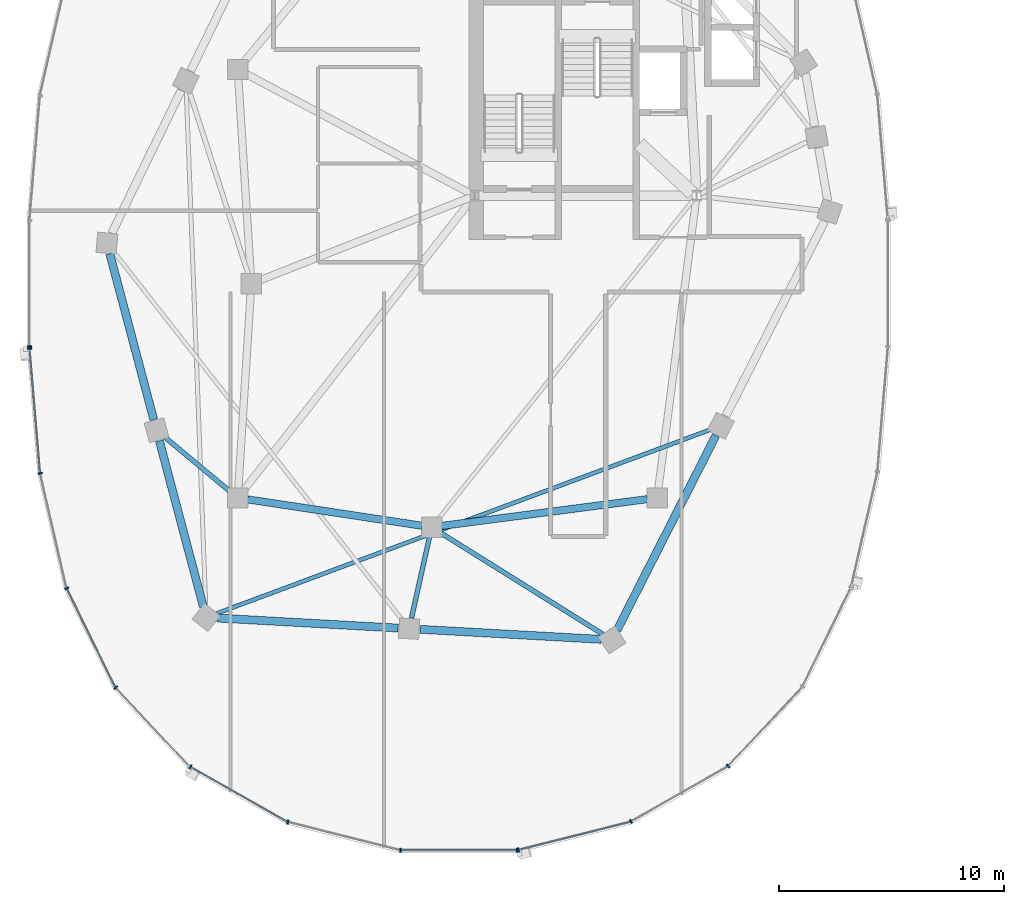
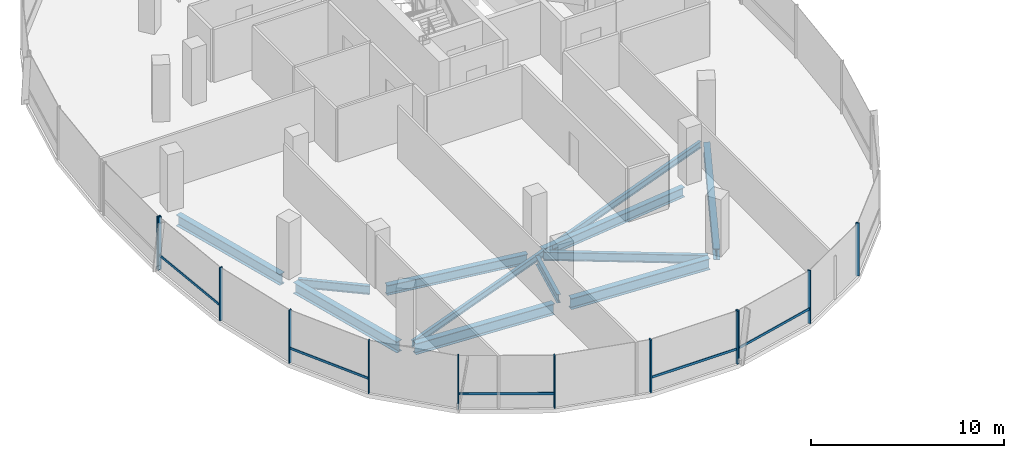
# One storey, part 3 of 25: 17 members, 11 beams, 3 elements without a shape of their own.
"""IFC4 building model written with IfcOpenShell, lengths in metres."""

import ifcopenshell
import ifcopenshell.guid

model = None  # the IFC model being written
_history = None  # IfcOwnerHistory: only IFC2X3 demands one
_inside = {}  # id of a spatial element -> (the spatial element, [elements in it])
_under = {}  # id of a project, library or spatial element -> (it, [spatial elements below it])
_declared = {}  # id of a project -> (the project, [libraries it declares])
_typed = {}  # id of a type object -> (the type object, [elements of that type])
_made_of = {}  # id of a material, layer set ... -> (it, [elements and type objects made of it])


def new_model(schema):
    """Start an empty IFC model of exactly this schema.

    Asked for "IFC4X3", IfcOpenShell would pick the latest addendum, in which some entities
    have other attributes; the version numbers below select the first issue.
    IFC2X3 requires an IfcOwnerHistory on every rooted entity: one is made here for all.
    """
    global model, _history
    if schema == "IFC4X3":
        model = ifcopenshell.file(schema_version=(4, 3, 0, 0))
    else:
        model = ifcopenshell.file(schema=schema)
    _inside.clear()
    _under.clear()
    _declared.clear()
    _typed.clear()
    _made_of.clear()
    _history = None
    if model.schema == "IFC2X3":
        org = make("IfcOrganization", Name="unknown")
        user = make(
            "IfcPersonAndOrganization",
            ThePerson=make("IfcPerson", FamilyName="unknown"),
            TheOrganization=org,
        )
        app = make(
            "IfcApplication",
            ApplicationDeveloper=org,
            Version="unknown",
            ApplicationFullName="unknown",
            ApplicationIdentifier="unknown",
        )
        _history = make(
            "IfcOwnerHistory",
            OwningUser=user,
            OwningApplication=app,
            ChangeAction="ADDED",
            CreationDate=0,
        )
    return model


def make(cls, **values):
    """One entity of the class cls with the attributes given. An attribute that is None is left unset."""
    return model.create_entity(
        cls, **{name: value for name, value in values.items() if value is not None}
    )


def rooted(cls, **values):
    """An entity with a GlobalId (a new one), such as an element, a storey or a relation."""
    return make(cls, GlobalId=ifcopenshell.guid.new(), OwnerHistory=_history, **values)


def si_unit(unit_type, name, prefix=None):
    """IfcSIUnit, for example si_unit("LENGTHUNIT", "METRE", prefix="MILLI")."""
    return make("IfcSIUnit", UnitType=unit_type, Prefix=prefix, Name=name)


def assignment(units):
    """IfcUnitAssignment: the units of a project."""
    return None if units is None else make("IfcUnitAssignment", Units=units)


def point(xyz):
    """IfcCartesianPoint."""
    return None if xyz is None else make("IfcCartesianPoint", Coordinates=xyz)


def direction(xyz):
    """IfcDirection."""
    return None if xyz is None else make("IfcDirection", DirectionRatios=xyz)


def frame(location, z_axis=None, x_axis=None):
    """IfcAxis2Placement3D, a coordinate frame: its origin and axes. An axis left out is left unset."""
    return make(
        "IfcAxis2Placement3D",
        Location=point(location),
        Axis=direction(z_axis),
        RefDirection=direction(x_axis),
    )


def frame_2d(location, x_axis=None):
    """IfcAxis2Placement2D, a coordinate frame in the plane: its origin and x axis."""
    return make(
        "IfcAxis2Placement2D", Location=point(location), RefDirection=direction(x_axis)
    )


def origin():
    """The frame at (0, 0, 0) with its axes left unset."""
    return frame((0.0, 0.0, 0.0))


def origin_2d():
    """The frame at (0, 0) in the plane with its x axis left unset."""
    return frame_2d((0.0, 0.0))


def place(relative_to, where):
    """IfcLocalPlacement: puts the frame where relative to a parent placement (None: the world)."""
    return make(
        "IfcLocalPlacement", PlacementRelTo=relative_to, RelativePlacement=where
    )


def context(
    kind, dimensions, precision=None, world=None, true_north=None, identifier=None
):
    """IfcGeometricRepresentationContext, for example the 3D "Model" context."""
    return make(
        "IfcGeometricRepresentationContext",
        ContextIdentifier=identifier,
        ContextType=kind,
        CoordinateSpaceDimension=dimensions,
        Precision=precision,
        WorldCoordinateSystem=world,
        TrueNorth=true_north,
    )


def subcontext(parent, identifier, kind, view, scale=None):
    """IfcGeometricRepresentationSubContext, for example "Body" below "Model"."""
    return make(
        "IfcGeometricRepresentationSubContext",
        ContextIdentifier=identifier,
        ContextType=kind,
        ParentContext=parent,
        TargetScale=scale,
        TargetView=view,
    )


def project(units=None, contexts=None):
    """IfcProject with its units and contexts."""
    return rooted(
        "IfcProject",
        Name="project",
        RepresentationContexts=contexts,
        UnitsInContext=assignment(units),
    )


def spatial(cls, under=None, at=None, **own):
    """A site, building, storey or space (cls), placed at a placement, below another one or the project."""
    s = rooted(cls, ObjectPlacement=at, **own)
    if under is not None:
        _under.setdefault(under.id(), (under, []))[1].append(s)
    return s


def profile(cls, at=None, kind="AREA", **sizes):
    """A parametric profile (cls). Its sizes go by their IFC names, for example OverallWidth=200.0."""
    return make(cls, ProfileType=kind, Position=at, **sizes)


def rectangle(**sizes):
    """IfcRectangleProfileDef."""
    return profile("IfcRectangleProfileDef", **sizes)


def i_section(**sizes):
    """IfcIShapeProfileDef."""
    return profile("IfcIShapeProfileDef", **sizes)


def extrude(swept, where, along, depth):
    """IfcExtrudedAreaSolid: the profile swept, set in the frame where, extruded along a direction by depth."""
    return make(
        "IfcExtrudedAreaSolid",
        SweptArea=swept,
        Position=where,
        ExtrudedDirection=direction(along),
        Depth=depth,
    )


def shape(context_of_items, identifier, shape_type, items):
    """IfcShapeRepresentation: the items that make up one representation, for example the "Body"."""
    return make(
        "IfcShapeRepresentation",
        ContextOfItems=context_of_items,
        RepresentationIdentifier=identifier,
        RepresentationType=shape_type,
        Items=items,
    )


def material(Name=None, Category=None):
    """IfcMaterial."""
    return make("IfcMaterial", Name=Name, Category=Category)


def material_profile(
    of_material, cross_section, Name=None, Category=None, Priority=None
):
    """IfcMaterialProfile: a cross section and its material."""
    return make(
        "IfcMaterialProfile",
        Name=Name,
        Material=of_material,
        Profile=cross_section,
        Priority=Priority,
        Category=Category,
    )


def profile_set(profiles, Name=None, composite=None):
    """IfcMaterialProfileSet."""
    return make(
        "IfcMaterialProfileSet",
        Name=Name,
        MaterialProfiles=profiles,
        CompositeProfile=composite,
    )


def made_of(thing, what):
    """Note that an element or type object is made of a material, layer set ...; save() writes the relation."""
    if what is not None:
        _made_of.setdefault(what.id(), (what, []))[1].append(thing)
    return thing


def type_object(cls, material=None, **own):
    """A type object (cls), such as IfcWallType, which elements share."""
    return made_of(rooted(cls, **own), material)


def element(
    cls,
    number,
    at=None,
    inside=None,
    cuts=None,
    type_object=None,
    material=None,
    context=None,
    identifier="Body",
    shape_type=None,
    held_by="IfcProductDefinitionShape",
    body=None,
    shapes=None,
    **own,
):
    """One element of the class cls, such as IfcWall. Its Tag is "e" and its number.

    at: its placement. inside: the storey or other place that contains it. cuts: it is an
    opening in that element (IfcRelVoidsElement). A single representation is given by context,
    identifier, shape_type and body (its items); several are given by shapes. held_by: the class
    of the entity that holds the representations. save() writes the other relations.
    """
    e = rooted(cls, Tag="e%d" % number, ObjectPlacement=at, **own)
    if body is not None:
        shapes = [shape(context, identifier, shape_type, body)]
    if shapes is not None:
        e.Representation = make(held_by, Representations=shapes)
    if inside is not None:
        _inside.setdefault(inside.id(), (inside, []))[1].append(e)
    if cuts is not None:
        rooted(
            "IfcRelVoidsElement", RelatingBuildingElement=cuts, RelatedOpeningElement=e
        )
    if type_object is not None:
        _typed.setdefault(type_object.id(), (type_object, []))[1].append(e)
    return made_of(e, material)


def aggregate(whole, parts):
    """IfcRelAggregates: a whole, such as a stair, and the parts it consists of."""
    return rooted("IfcRelAggregates", RelatingObject=whole, RelatedObjects=parts)


def save(model, path):
    """Write the relations noted so far, then the file.

    IfcRelAggregates (storeys below a building ...), IfcRelContainedInSpatialStructure (elements
    in a storey), IfcRelDefinesByType, IfcRelAssociatesMaterial and IfcRelDeclares: one each for
    every whole, place, type object, material and project.
    """
    for whole, parts in _under.values():
        aggregate(whole, parts)
    for where, things in _inside.values():
        rooted(
            "IfcRelContainedInSpatialStructure",
            RelatedElements=things,
            RelatingStructure=where,
        )
    for kind, things in _typed.values():
        rooted("IfcRelDefinesByType", RelatedObjects=things, RelatingType=kind)
    for what, things in _made_of.values():
        rooted("IfcRelAssociatesMaterial", RelatedObjects=things, RelatingMaterial=what)
    for by, libraries in _declared.values():
        rooted("IfcRelDeclares", RelatingContext=by, RelatedDefinitions=libraries)
    model.write(path)


model = new_model("IFC4")

# Units and contexts
model_context = context("Model", 3, precision=1e-05, world=origin(), true_north=direction((0.0, 1.0)))
body_context = subcontext(model_context, "Body", "Model", "MODEL_VIEW")
ifc_project = project(units=[si_unit("LENGTHUNIT", "METRE"), si_unit("AREAUNIT", "SQUARE_METRE"), si_unit("VOLUMEUNIT", "CUBIC_METRE"), si_unit("PLANEANGLEUNIT", "RADIAN"), si_unit("MASSUNIT", "GRAM", prefix="KILO"), si_unit("THERMODYNAMICTEMPERATUREUNIT", "KELVIN"), si_unit("POWERUNIT", "WATT")], contexts=[model_context])

# Site, building, storey
site_placement = place(None, origin())
site = spatial("IfcSite", under=ifc_project, at=site_placement, CompositionType="ELEMENT")
building_placement = place(site_placement, origin())
building = spatial("IfcBuilding", under=site, at=building_placement, Name="Cundina Bronze Exchange", CompositionType="ELEMENT")
storey_placement = place(building_placement, frame((0.0, 0.0, 191.800048828125)))
storey = spatial("IfcBuildingStorey", under=building, at=storey_placement, Name="L50", CompositionType="ELEMENT", Elevation=191.800048828125)

# Beams
ifc_material_1 = material(Name="Steel ASTM A992 Grade 50", Category="steel")
ifc_material_profile_1 = material_profile(ifc_material_1, i_section(OverallWidth=0.2119140625, OverallDepth=0.5439453125, WebThickness=0.01318359375, FlangeThickness=0.021240234375, FilletRadius=0.013916015625, at=origin_2d()), Name="W21X83", Category="steel")
ifc_profile_set_1 = profile_set([ifc_material_profile_1], Name="Steel ASTM A992 Grade 50")
beam_type_1 = type_object("IfcBeamType", Name="BM-FLR-W21A", PredefinedType="BEAM", material=ifc_profile_set_1)
beam_1_placement = place(storey_placement, frame((-42.136474609375, -9.219482421875, -0.531982421875), z_axis=(-0.768253211489, 0.640146079451, 0.0), x_axis=(-0.640146079451, -0.768253211489, 0.0)))
element("IfcBeam", 1, at=beam_1_placement, inside=storey, type_object=beam_type_1, Name="L50 Leg W Radial Floor Beam 09", PredefinedType="BEAM", context=body_context, shape_type="SweptSolid", body=[
    extrude(i_section(OverallWidth=0.2119140625, OverallDepth=0.5439453125, WebThickness=0.01318359375, FlangeThickness=0.021240234375, FilletRadius=0.013916015625, at=origin_2d()), origin(), (0.0, 0.0, 1.0), 3.760009765625),
])
beam_2_placement = place(storey_placement, frame((-33.294921875, -11.2275390625, -0.531982421875), z_axis=(-0.216923440287, -0.976188619609, 0.0), x_axis=(0.976188619609, -0.216923440287, 0.0)))
element("IfcBeam", 2, at=beam_2_placement, inside=storey, type_object=beam_type_1, Name="L50 Leg W Radial Floor Beam 11", PredefinedType="BEAM", context=body_context, shape_type="SweptSolid", body=[
    extrude(i_section(OverallWidth=0.2119140625, OverallDepth=0.5439453125, WebThickness=0.01318359375, FlangeThickness=0.021240234375, FilletRadius=0.013916015625, at=origin_2d()), origin(), (0.0, 0.0, 1.0), 3.68359375),
])
beam_3_placement = place(storey_placement, frame((-32.82861328125, -11.031982421875, -0.531982421875), z_axis=(0.847985407265, -0.530019574228, 0.0), x_axis=(0.530019574228, 0.847985407265, 0.0)))
element("IfcBeam", 3, at=beam_3_placement, inside=storey, type_object=beam_type_1, Name="L50 Leg W Radial Floor Beam 12", PredefinedType="BEAM", context=body_context, shape_type="SweptSolid", body=[
    extrude(i_section(OverallWidth=0.2119140625, OverallDepth=0.5439453125, WebThickness=0.01318359375, FlangeThickness=0.021240234375, FilletRadius=0.013916015625, at=origin_2d()), origin(), (0.0, 0.0, 1.0), 8.50830078125),
])
ifc_material_profile_2 = material_profile(ifc_material_1, i_section(OverallWidth=0.178955078125, OverallDepth=0.409912109375, WebThickness=0.0087890625, FlangeThickness=0.014404296875, FilletRadius=0.010986328125, at=origin_2d()), Name="W16X45", Category="steel")
ifc_profile_set_2 = profile_set([ifc_material_profile_2], Name="Steel ASTM A992 Grade 50")
beam_type_2 = type_object("IfcBeamType", Name="BM-JST-W16", PredefinedType="JOIST", material=ifc_profile_set_2)
beam_4_placement = place(storey_placement, frame((-42.74267578125, -14.629638671875, -0.465087890625), z_axis=(0.937127922351, 0.348986041483, 0.0), x_axis=(-0.348986041483, 0.937127922351, 0.0)))
element("IfcBeam", 4, at=beam_4_placement, inside=storey, type_object=beam_type_2, Name="L50 Leg W Lobe Floor Joist 10-13", PredefinedType="JOIST", context=body_context, shape_type="SweptSolid", body=[
    extrude(i_section(OverallWidth=0.178955078125, OverallDepth=0.409912109375, WebThickness=0.0087890625, FlangeThickness=0.014404296875, FilletRadius=0.010986328125, at=origin_2d()), origin(), (0.0, 0.0, 1.0), 23.38037109375),
])
ifc_material_profile_3 = material_profile(ifc_material_1, i_section(OverallWidth=0.324951171875, OverallDepth=0.615966796875, WebThickness=0.013916015625, FlangeThickness=0.021484375, FilletRadius=0.01611328125, at=origin_2d()), Name="W24X117", Category="steel")
ifc_profile_set_3 = profile_set([ifc_material_profile_3], Name="Steel ASTM A992 Grade 50")
beam_type_3 = type_object("IfcBeamType", Name="BM-RING-W24", PredefinedType="USERDEFINED", material=ifc_profile_set_3)
beam_5_placement = place(storey_placement, frame((-41.366943359375, -9.5654296875, -0.568115234375), z_axis=(0.988764903598, -0.149478979839, 0.0), x_axis=(0.149478979839, 0.988764903598, 0.0)))
element("IfcBeam", 5, at=beam_5_placement, inside=storey, type_object=beam_type_3, Name="L50 W Inner Structural Ring Girder 05", ObjectType="GIRDER", PredefinedType="USERDEFINED", context=body_context, shape_type="SweptSolid", body=[
    extrude(i_section(OverallWidth=0.324951171875, OverallDepth=0.615966796875, WebThickness=0.013916015625, FlangeThickness=0.021484375, FilletRadius=0.01611328125, at=origin_2d()), origin(), (0.0, 0.0, 1.0), 7.82177734375),
])
beam_6_placement = place(storey_placement, frame((-32.765625, -10.743408203125, -0.568115234375), z_axis=(0.991656498582, 0.128908451316, 0.0), x_axis=(-0.128908451316, 0.991656498582, 0.0)))
element("IfcBeam", 6, at=beam_6_placement, inside=storey, type_object=beam_type_3, Name="L50 W Inner Structural Ring Girder 06", ObjectType="GIRDER", PredefinedType="USERDEFINED", context=body_context, shape_type="SweptSolid", body=[
    extrude(i_section(OverallWidth=0.324951171875, OverallDepth=0.615966796875, WebThickness=0.013916015625, FlangeThickness=0.021484375, FilletRadius=0.01611328125, at=origin_2d()), origin(), (0.0, 0.0, 1.0), 9.208251953125),
])
ifc_material_profile_4 = material_profile(ifc_material_1, i_section(OverallWidth=0.35498046875, OverallDepth=0.695068359375, WebThickness=0.015380859375, FlangeThickness=0.02490234375, FilletRadius=0.01806640625, at=origin_2d()), Name="W27X146", Category="steel")
ifc_profile_set_4 = profile_set([ifc_material_profile_4], Name="Steel ASTM A992 Grade 50")
beam_type_4 = type_object("IfcBeamType", Name="BM-RING-W27", PredefinedType="USERDEFINED", material=ifc_profile_set_4)
for number, where, z_axis, x_axis, name in (
    (7, (-47.47509765625, 1.328369140625, -0.607666015625), (0.256240814108, -0.966612975904, 0.0), (0.966612975904, 0.256240814108, 0.0), "L50 W Perimeter Ring Girder 08"),
    (8, (-45.27490234375, -6.9716796875, -0.607666015625), (0.256210841755, -0.96662092082, 0.0), (0.96662092082, 0.256210841755, 0.0), "L50 W Perimeter Ring Girder 09"),
):
    element("IfcBeam", number, at=place(storey_placement, frame(where, z_axis=z_axis, x_axis=x_axis)), inside=storey, type_object=beam_type_4, Name=name, ObjectType="GIRDER", PredefinedType="USERDEFINED", context=body_context, shape_type="SweptSolid", body=[
        extrude(i_section(OverallWidth=0.35498046875, OverallDepth=0.695068359375, WebThickness=0.015380859375, FlangeThickness=0.02490234375, FilletRadius=0.01806640625, at=origin_2d()), origin(), (0.0, 0.0, 1.0), 7.61083984375),
    ])
for number, where, z_axis, x_axis, name in (
    (9, (-42.712890625, -14.8271484375, -0.607666015625), (0.998460820451, -0.055461608559, 0.0), (0.055461608559, 0.998460820451, 0.0), "L50 W Perimeter Ring Girder 10"),
    (10, (-33.712890625, -15.3271484375, -0.607666015625), (0.998460820451, -0.055461608559, 0.0), (0.055461608559, 0.998460820451, 0.0), "L50 W Perimeter Ring Girder 11"),
):
    element("IfcBeam", number, at=place(storey_placement, frame(where, z_axis=z_axis, x_axis=x_axis)), inside=storey, type_object=beam_type_4, Name=name, ObjectType="GIRDER", PredefinedType="USERDEFINED", context=body_context, shape_type="SweptSolid", body=[
        extrude(i_section(OverallWidth=0.35498046875, OverallDepth=0.695068359375, WebThickness=0.015380859375, FlangeThickness=0.02490234375, FilletRadius=0.01806640625, at=origin_2d()), origin(), (0.0, 0.0, 1.0), 8.0380859375),
    ])
beam_7_placement = place(storey_placement, frame((-24.97900390625, -15.364990234375, -0.607666015625), z_axis=(0.452834585354, 0.891594548159, 0.0), x_axis=(-0.891594548159, 0.452834585354, 0.0)))
element("IfcBeam", 11, at=beam_7_placement, inside=storey, type_object=beam_type_4, Name="L50 W Perimeter Ring Girder 12", ObjectType="GIRDER", PredefinedType="USERDEFINED", context=body_context, shape_type="SweptSolid", body=[
    extrude(i_section(OverallWidth=0.35498046875, OverallDepth=0.695068359375, WebThickness=0.015380859375, FlangeThickness=0.02490234375, FilletRadius=0.01806640625, at=origin_2d()), origin(), (0.0, 0.0, 1.0), 9.67919921875),
])

# Curtain wall, member
ifc_material_2 = material(Name="Anodised Bronze Aluminium 6063-T6", Category="aluminium")
curtain_wall_type = type_object("IfcCurtainWallType", Name="CWS-UPP-OFF", PredefinedType="NOTDEFINED", material=ifc_material_2)
curtain_wall_1_placement = place(storey_placement, origin())
curtain_wall_1 = element("IfcCurtainWall", 12, at=curtain_wall_1_placement, inside=storey, type_object=curtain_wall_type, Name="L50 CW-05 Curtain Wall Run CWR-L50-W2", PredefinedType="NOTDEFINED")
ifc_material_profile_5 = material_profile(ifc_material_2, rectangle(XDim=0.070068359375, YDim=0.18994140625, at=origin_2d()), Name="AL70X190", Category="aluminium")
ifc_profile_set_5 = profile_set([ifc_material_profile_5], Name="Anodised Bronze Aluminium 6063-T6")
member_type_1 = type_object("IfcMemberType", Name="CWM-MUL-190", PredefinedType="MULLION", material=ifc_profile_set_5)
member_1_placement = place(storey_placement, frame((-51.033935546875, -2.794921875, 0.0), z_axis=(0.0, 0.0, 1.0), x_axis=(0.0, -1.0, 0.0)))
member_1 = element("IfcMember", 13, at=member_1_placement, type_object=member_type_1, Name="CW-05 End Mullion", PredefinedType="MULLION", context=body_context, shape_type="SweptSolid", body=[
    extrude(rectangle(XDim=0.070068359375, YDim=0.18994140625, at=origin_2d()), origin(), (0.0, 0.0, 1.0), 3.33984375),
])
aggregate(curtain_wall_1, [member_1])

# Curtain wall, members
curtain_wall_2_placement = place(storey_placement, origin())
curtain_wall_2 = element("IfcCurtainWall", 14, at=curtain_wall_2_placement, inside=storey, type_object=curtain_wall_type, Name="L50 CW-05 Curtain Wall Run CWR-L50-W3", PredefinedType="NOTDEFINED")
member_2_placement = place(storey_placement, frame((-51.0302734375, -2.88330078125, 0.0), z_axis=(0.0, 0.0, 1.0), x_axis=(0.083677843332, -0.99649285925, 0.0)))
member_2 = element("IfcMember", 15, at=member_2_placement, type_object=member_type_1, Name="CW-05 Mullion 1", PredefinedType="MULLION", context=body_context, shape_type="SweptSolid", body=[
    extrude(rectangle(XDim=0.070068359375, YDim=0.18994140625, at=origin_2d()), origin(), (0.0, 0.0, 1.0), 3.33984375),
])
member_3_placement = place(storey_placement, frame((-50.56005859375, -8.4111328125, 0.0), z_axis=(0.0, 0.0, 1.0), x_axis=(0.223250116011, -0.974761194191, 0.0)))
member_3 = element("IfcMember", 16, at=member_3_placement, type_object=member_type_1, Name="CW-05 Mullion 2", PredefinedType="MULLION", context=body_context, shape_type="SweptSolid", body=[
    extrude(rectangle(XDim=0.070068359375, YDim=0.18994140625, at=origin_2d()), origin(), (0.0, 0.0, 1.0), 3.33984375),
])
member_4_placement = place(storey_placement, frame((-49.38427734375, -13.50732421875, 0.0), z_axis=(0.0, 0.0, 1.0), x_axis=(0.440566004113, -0.897720221461, 0.0)))
member_4 = element("IfcMember", 17, at=member_4_placement, type_object=member_type_1, Name="CW-05 Mullion 3", PredefinedType="MULLION", context=body_context, shape_type="SweptSolid", body=[
    extrude(rectangle(XDim=0.070068359375, YDim=0.18994140625, at=origin_2d()), origin(), (0.0, 0.0, 1.0), 3.33984375),
])
member_5_placement = place(storey_placement, frame((-47.209716796875, -17.91796875, 0.0), z_axis=(0.0, 0.0, 1.0), x_axis=(0.684292606175, -0.729207535023, 0.0)))
member_5 = element("IfcMember", 18, at=member_5_placement, type_object=member_type_1, Name="CW-05 Mullion 4", PredefinedType="MULLION", context=body_context, shape_type="SweptSolid", body=[
    extrude(rectangle(XDim=0.070068359375, YDim=0.18994140625, at=origin_2d()), origin(), (0.0, 0.0, 1.0), 3.33984375),
])
member_6_placement = place(storey_placement, frame((-43.899658203125, -21.43115234375, 0.0), z_axis=(0.0, 0.0, 1.0), x_axis=(0.86958112538, -0.493790103568, 0.0)))
member_6 = element("IfcMember", 19, at=member_6_placement, type_object=member_type_1, Name="CW-05 Mullion 5", PredefinedType="MULLION", context=body_context, shape_type="SweptSolid", body=[
    extrude(rectangle(XDim=0.070068359375, YDim=0.18994140625, at=origin_2d()), origin(), (0.0, 0.0, 1.0), 3.33984375),
])
member_7_placement = place(storey_placement, frame((-39.577392578125, -23.87548828125, 0.0), z_axis=(0.0, 0.0, 1.0), x_axis=(0.969744325821, -0.244122802168, 0.0)))
member_7 = element("IfcMember", 20, at=member_7_placement, type_object=member_type_1, Name="CW-05 Mullion 6", PredefinedType="MULLION", context=body_context, shape_type="SweptSolid", body=[
    extrude(rectangle(XDim=0.070068359375, YDim=0.18994140625, at=origin_2d()), origin(), (0.0, 0.0, 1.0), 3.33984375),
])
member_8_placement = place(storey_placement, frame((-34.580078125, -25.125, 0.0), z_axis=(0.0, 0.0, 1.0), x_axis=(1.0, 0.0, 0.0)))
member_8 = element("IfcMember", 21, at=member_8_placement, type_object=member_type_1, Name="CW-05 Mullion 7", PredefinedType="MULLION", context=body_context, shape_type="SweptSolid", body=[
    extrude(rectangle(XDim=0.070068359375, YDim=0.18994140625, at=origin_2d()), origin(), (0.0, 0.0, 1.0), 3.33984375),
])
member_9_placement = place(storey_placement, frame((-29.419921875, -25.125, 0.0), z_axis=(0.0, 0.0, 1.0), x_axis=(1.0, 0.0, 0.0)))
member_9 = element("IfcMember", 22, at=member_9_placement, type_object=member_type_1, Name="CW-05 End Mullion", PredefinedType="MULLION", context=body_context, shape_type="SweptSolid", body=[
    extrude(rectangle(XDim=0.070068359375, YDim=0.18994140625, at=origin_2d()), origin(), (0.0, 0.0, 1.0), 3.33984375),
])

curtain_wall_3_placement = place(storey_placement, origin())
curtain_wall_3 = element("IfcCurtainWall", 23, at=curtain_wall_3_placement, inside=storey, type_object=curtain_wall_type, Name="L50 CW-05 Curtain Wall Run CWR-L50-W4", PredefinedType="NOTDEFINED")
member_10_placement = place(storey_placement, frame((-29.3515625, -25.116455078125, 0.0), z_axis=(0.0, 0.0, 1.0), x_axis=(0.969744325821, 0.244122802168, 0.0)))
member_10 = element("IfcMember", 24, at=member_10_placement, type_object=member_type_1, Name="CW-05 Mullion 1", PredefinedType="MULLION", context=body_context, shape_type="SweptSolid", body=[
    extrude(rectangle(XDim=0.070068359375, YDim=0.18994140625, at=origin_2d()), origin(), (0.0, 0.0, 1.0), 3.33984375),
])
member_11_placement = place(storey_placement, frame((-24.361083984375, -23.850830078125, 0.0), z_axis=(0.0, 0.0, 1.0), x_axis=(0.86958112538, 0.493790103568, 0.0)))
member_11 = element("IfcMember", 25, at=member_11_placement, type_object=member_type_1, Name="CW-05 Mullion 2", PredefinedType="MULLION", context=body_context, shape_type="SweptSolid", body=[
    extrude(rectangle(XDim=0.070068359375, YDim=0.18994140625, at=origin_2d()), origin(), (0.0, 0.0, 1.0), 3.33984375),
])
member_12_placement = place(storey_placement, frame((-20.05126953125, -21.392578125, 0.0), z_axis=(0.0, 0.0, 1.0), x_axis=(0.684292606175, 0.729207535023, 0.0)))
member_12 = element("IfcMember", 26, at=member_12_placement, type_object=member_type_1, Name="CW-05 Mullion 3", PredefinedType="MULLION", context=body_context, shape_type="SweptSolid", body=[
    extrude(rectangle(XDim=0.070068359375, YDim=0.18994140625, at=origin_2d()), origin(), (0.0, 0.0, 1.0), 3.33984375),
])

# Member
ifc_material_profile_6 = material_profile(ifc_material_2, rectangle(XDim=0.06494140625, YDim=0.14990234375, at=origin_2d()), Name="AL65X150", Category="aluminium")
ifc_profile_set_6 = profile_set([ifc_material_profile_6], Name="Anodised Bronze Aluminium 6063-T6")
member_type_2 = type_object("IfcMemberType", Name="CWM-TRN-150", PredefinedType="USERDEFINED", material=ifc_profile_set_6)
member_13_placement = place(storey_placement, frame((-51.027099609375, -2.921630859375, 0.919921875), z_axis=(0.083740331158, -0.996487610027, 0.0), x_axis=(0.996487610027, 0.083740331158, 0.0)))
member_13 = element("IfcMember", 27, at=member_13_placement, type_object=member_type_2, Name="CW-05 Spandrel Transom 1", ObjectType="TRANSOM", PredefinedType="USERDEFINED", context=body_context, shape_type="SweptSolid", body=[
    extrude(rectangle(XDim=0.06494140625, YDim=0.14990234375, at=origin_2d()), origin(), (0.0, 0.0, 1.0), 5.466552734375),
])

member_14_placement = place(storey_placement, frame((-49.3671875, -13.5419921875, 0.919921875), z_axis=(0.440483110889, -0.897760897467, 0.0), x_axis=(0.897760897467, 0.440483110889, 0.0)))
member_14 = element("IfcMember", 28, at=member_14_placement, type_object=member_type_2, Name="CW-05 Spandrel Transom 3", ObjectType="TRANSOM", PredefinedType="USERDEFINED", context=body_context, shape_type="SweptSolid", body=[
    extrude(rectangle(XDim=0.06494140625, YDim=0.14990234375, at=origin_2d()), origin(), (0.0, 0.0, 1.0), 4.855224609375),
])

member_15_placement = place(storey_placement, frame((-43.8662109375, -21.4501953125, 0.919921875), z_axis=(0.869573748083, -0.493803095013, 0.0), x_axis=(0.493803095013, 0.869573748083, 0.0)))
member_15 = element("IfcMember", 29, at=member_15_placement, type_object=member_type_2, Name="CW-05 Spandrel Transom 5", ObjectType="TRANSOM", PredefinedType="USERDEFINED", context=body_context, shape_type="SweptSolid", body=[
    extrude(rectangle(XDim=0.06494140625, YDim=0.14990234375, at=origin_2d()), origin(), (0.0, 0.0, 1.0), 4.900146484375),
])

member_16_placement = place(storey_placement, frame((-34.54150390625, -25.125, 0.919921875), z_axis=(1.0, 0.0, 0.0), x_axis=(0.0, 1.0, 0.0)))
member_16 = element("IfcMember", 30, at=member_16_placement, type_object=member_type_2, Name="CW-05 Spandrel Transom 7", ObjectType="TRANSOM", PredefinedType="USERDEFINED", context=body_context, shape_type="SweptSolid", body=[
    extrude(rectangle(XDim=0.06494140625, YDim=0.14990234375, at=origin_2d()), origin(), (0.0, 0.0, 1.0), 5.0830078125),
])

aggregate(curtain_wall_2, [member_2, member_13, member_3, member_4, member_14, member_5, member_6, member_15, member_7, member_8, member_9, member_16])

member_17_placement = place(storey_placement, frame((-29.314208984375, -25.107177734375, 0.919921875), z_axis=(0.969725738797, 0.244196624699, 0.0), x_axis=(-0.244196624699, 0.969725738797, 0.0)))
member_17 = element("IfcMember", 31, at=member_17_placement, type_object=member_type_2, Name="CW-05 Spandrel Transom 1", ObjectType="TRANSOM", PredefinedType="USERDEFINED", context=body_context, shape_type="SweptSolid", body=[
    extrude(rectangle(XDim=0.06494140625, YDim=0.14990234375, at=origin_2d()), origin(), (0.0, 0.0, 1.0), 5.082763671875),
])

aggregate(curtain_wall_3, [member_10, member_17, member_11, member_12])

save(model, "model.ifc")
